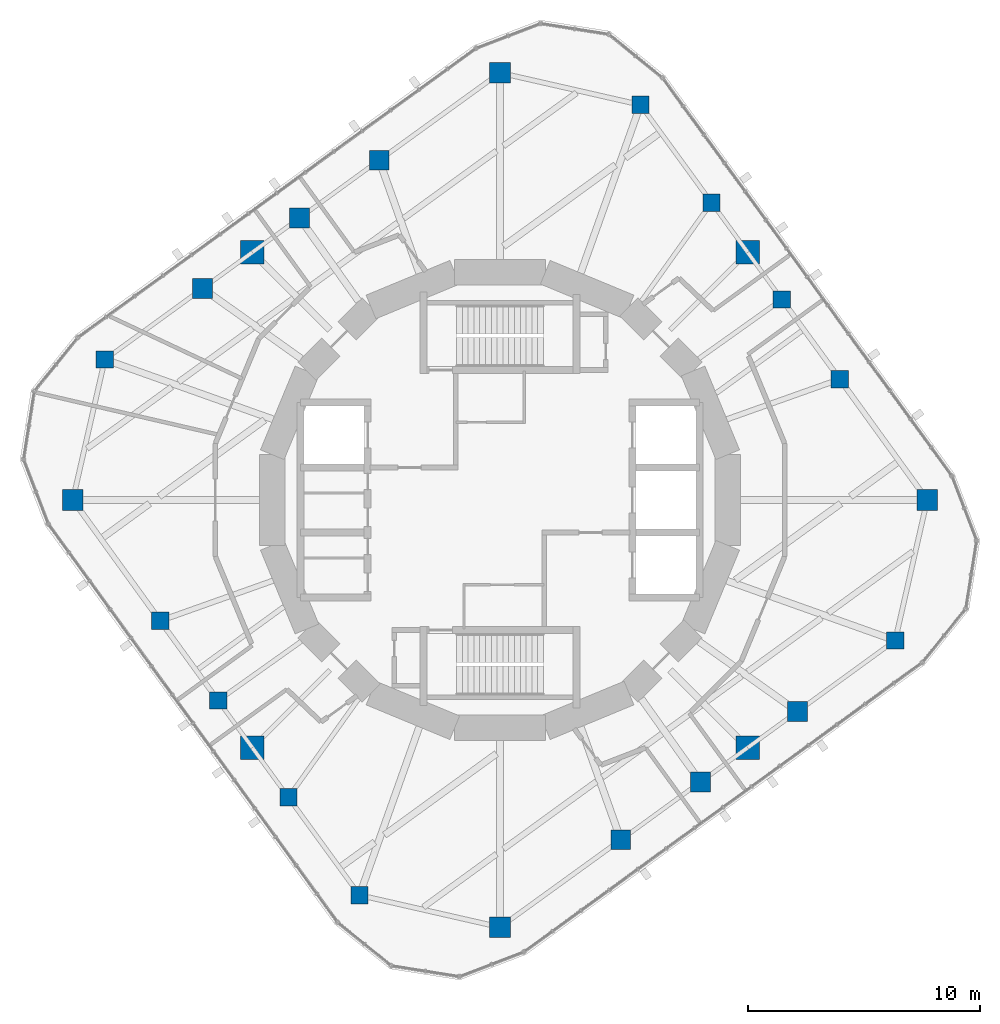
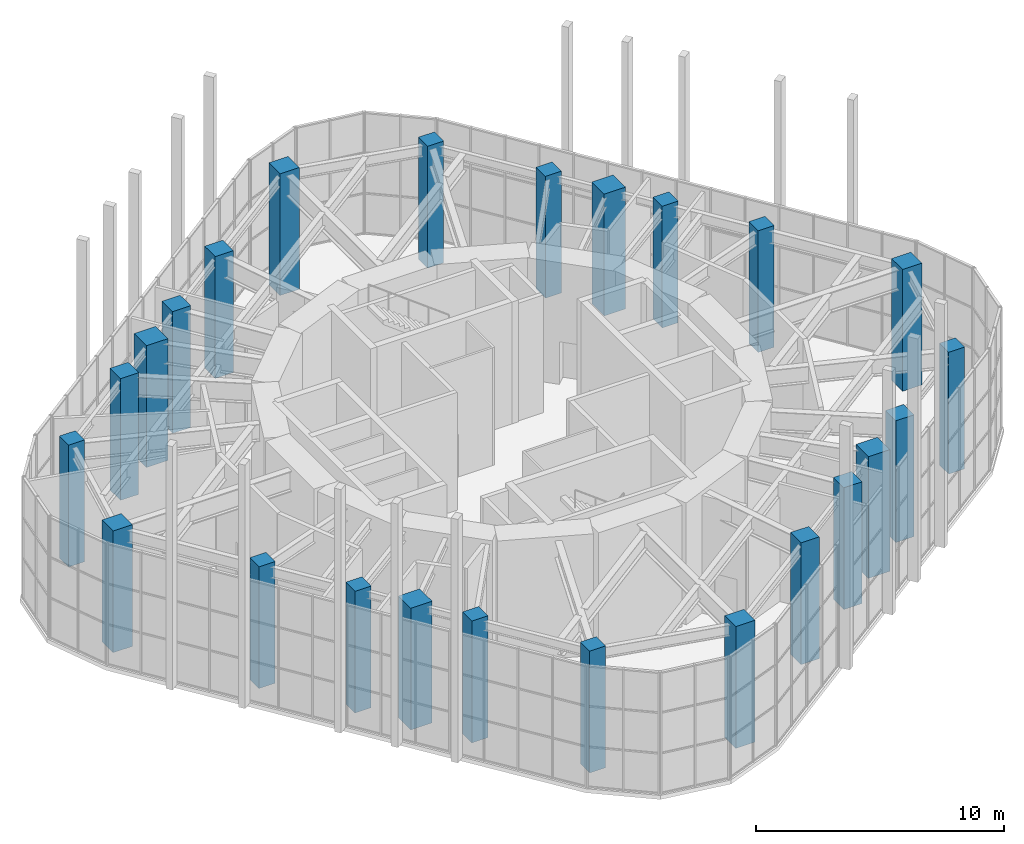
# One storey, part 1 of 17: 24 columns.
"""IFC4 building model written with IfcOpenShell, lengths in metres."""

from ifc_helpers import new_model, si_unit, direction, frame, origin, origin_2d, place, context, subcontext, project, spatial, rectangle, extrude, material, material_profile, profile_set, type_object, element, save


model = new_model("IFC4")

# Units and contexts
model_context = context("Model", 3, precision=1e-05, world=origin(), true_north=direction((0.0, 1.0)))
body_context = subcontext(model_context, "Body", "Model", "MODEL_VIEW")
ifc_project = project(units=[si_unit("LENGTHUNIT", "METRE"), si_unit("AREAUNIT", "SQUARE_METRE"), si_unit("VOLUMEUNIT", "CUBIC_METRE"), si_unit("PLANEANGLEUNIT", "RADIAN"), si_unit("MASSUNIT", "GRAM", prefix="KILO")], contexts=[model_context])

# Site, building, storey
site_placement = place(None, origin())
site = spatial("IfcSite", under=ifc_project, at=site_placement, CompositionType="ELEMENT")
building_placement = place(site_placement, origin())
building = spatial("IfcBuilding", under=site, at=building_placement, Name="Nakasero Lantern House", CompositionType="ELEMENT")
storey_placement = place(building_placement, frame((0.0, 0.0, 298.39990234375)))
storey = spatial("IfcBuildingStorey", under=building, at=storey_placement, Name="L73", CompositionType="ELEMENT", Elevation=298.39990234375)

# Columns
ifc_material_1 = material(Name="Concrete C40/50", Category="concrete")
ifc_material_profile_1 = material_profile(ifc_material_1, rectangle(XDim=1.0, YDim=1.0, at=origin_2d()), Name="RC 1000x1000")
ifc_profile_set_1 = profile_set([ifc_material_profile_1], Name="Concrete C40/50")
column_type_1 = type_object("IfcColumnType", Name="Mega column RC 1000x1000 C40/50", PredefinedType="COLUMN", material=ifc_profile_set_1)
for number, where, z_axis, x_axis, name in (
    (1, (10.667236328125, 10.667236328125, 0.0), (0.0, 0.0, 1.0), (1.0, 0.0, 0.0), "Column B7-C06 L73"),
    (2, (-10.667236328125, 10.667236328125, 0.0), (0.0, 0.0, 1.0), (1.0, 0.0, 0.0), "Column B7-C12 L73"),
    (3, (-10.667236328125, -10.667236328125, 0.0), (0.0, 0.0, 1.0), (1.0, 0.0, 0.0), "Column B7-C18 L73"),
    (4, (10.667236328125, -10.667236328125, 0.0), (0.0, 0.0, 1.0), (1.0, 0.0, 0.0), "Column B7-C24 L73"),
):
    element("IfcColumn", number, at=place(storey_placement, frame(where, z_axis=z_axis, x_axis=x_axis)), inside=storey, type_object=column_type_1, Name=name, PredefinedType="COLUMN", context=body_context, shape_type="SweptSolid", body=[
        extrude(rectangle(XDim=1.0, YDim=1.0, at=origin_2d()), origin(), (0.0, 0.0, 1.0), 6.0),
    ])
ifc_material_2 = material(Name="Concrete C40/50", Category="concrete")
ifc_material_profile_2 = material_profile(ifc_material_2, rectangle(XDim=0.75, YDim=0.75, at=origin_2d()), Name="RC 750x750")
ifc_profile_set_2 = profile_set([ifc_material_profile_2], Name="Concrete C40/50")
column_type_2 = type_object("IfcColumnType", Name="Ring column RC 750x750 C40/50", PredefinedType="COLUMN", material=ifc_profile_set_2)
for number, where, z_axis, x_axis, name in (
    (5, (17.02001953125, -6.051513671875, 0.0), (0.0, 0.0, 1.0), (1.0, 0.0, 0.0), "Column B7-C02 L73"),
    (6, (14.636474609375, 5.2041015625, 0.0), (0.0, 0.0, 1.0), (1.0, 0.0, 0.0), "Column B7-C04 L73"),
    (7, (12.1435546875, 8.63525390625, 0.0), (0.0, 0.0, 1.0), (1.0, 0.0, 0.0), "Column B7-C05 L73"),
    (8, (9.10986328125, 12.810791015625, 0.0), (0.0, 0.0, 1.0), (1.0, 0.0, 0.0), "Column B7-C07 L73"),
    (9, (6.051513671875, 17.02001953125, 0.0), (0.0, 0.0, 1.0), (1.0, 0.0, 0.0), "Column B7-C08 L73"),
    (10, (-17.02001953125, 6.051513671875, 0.0), (0.0, 0.0, 1.0), (1.0, 0.0, 0.0), "Column B7-C14 L73"),
    (11, (-14.636474609375, -5.2041015625, 0.0), (0.0, 0.0, 1.0), (1.0, 0.0, 0.0), "Column B7-C16 L73"),
    (12, (-12.1435546875, -8.63525390625, 0.0), (0.0, 0.0, 1.0), (1.0, 0.0, 0.0), "Column B7-C17 L73"),
    (13, (-9.10986328125, -12.810791015625, 0.0), (0.0, 0.0, 1.0), (1.0, 0.0, 0.0), "Column B7-C19 L73"),
    (14, (-6.051513671875, -17.02001953125, 0.0), (0.0, 0.0, 1.0), (1.0, 0.0, 0.0), "Column B7-C20 L73"),
):
    element("IfcColumn", number, at=place(storey_placement, frame(where, z_axis=z_axis, x_axis=x_axis)), inside=storey, type_object=column_type_2, Name=name, PredefinedType="COLUMN", context=body_context, shape_type="SweptSolid", body=[
        extrude(rectangle(XDim=0.75, YDim=0.75, at=origin_2d()), origin(), (0.0, 0.0, 1.0), 6.0),
    ])
ifc_material_3 = material(Name="Concrete C40/50", Category="concrete")
ifc_material_profile_3 = material_profile(ifc_material_3, rectangle(XDim=0.85009765625, YDim=0.85009765625, at=origin_2d()), Name="RC 850x850")
ifc_profile_set_3 = profile_set([ifc_material_profile_3], Name="Concrete C40/50")
column_type_3 = type_object("IfcColumnType", Name="Ring column RC 850x850 C40/50", PredefinedType="COLUMN", material=ifc_profile_set_3)
for number, where, z_axis, x_axis, name in (
    (15, (12.810791015625, -9.10986328125, 0.0), (0.0, 0.0, 1.0), (1.0, 0.0, 0.0), "Column B7-C01 L73"),
    (16, (-5.2041015625, 14.636474609375, 0.0), (0.0, 0.0, 1.0), (1.0, 0.0, 0.0), "Column B7-C10 L73"),
    (17, (-8.63525390625, 12.1435546875, 0.0), (0.0, 0.0, 1.0), (1.0, 0.0, 0.0), "Column B7-C11 L73"),
    (18, (-12.810791015625, 9.10986328125, 0.0), (0.0, 0.0, 1.0), (1.0, 0.0, 0.0), "Column B7-C13 L73"),
    (19, (5.2041015625, -14.636474609375, 0.0), (0.0, 0.0, 1.0), (1.0, 0.0, 0.0), "Column B7-C22 L73"),
    (20, (8.63525390625, -12.1435546875, 0.0), (0.0, 0.0, 1.0), (1.0, 0.0, 0.0), "Column B7-C23 L73"),
):
    element("IfcColumn", number, at=place(storey_placement, frame(where, z_axis=z_axis, x_axis=x_axis)), inside=storey, type_object=column_type_3, Name=name, PredefinedType="COLUMN", context=body_context, shape_type="SweptSolid", body=[
        extrude(rectangle(XDim=0.85009765625, YDim=0.85009765625, at=origin_2d()), origin(), (0.0, 0.0, 1.0), 6.0),
    ])
ifc_material_4 = material(Name="Concrete C40/50", Category="concrete")
ifc_material_profile_4 = material_profile(ifc_material_4, rectangle(XDim=0.89990234375, YDim=0.89990234375, at=origin_2d()), Name="RC 900x900")
ifc_profile_set_4 = profile_set([ifc_material_profile_4], Name="Concrete C40/50")
column_type_4 = type_object("IfcColumnType", Name="Ring column RC 900x900 C40/50", PredefinedType="COLUMN", material=ifc_profile_set_4)
for number, where, z_axis, x_axis, name in (
    (21, (18.39990234375, 0.0, 0.0), (0.0, 0.0, 1.0), (1.0, 0.0, 0.0), "Column B7-C03 L73"),
    (22, (0.0, 18.39990234375, 0.0), (0.0, 0.0, 1.0), (1.0, 0.0, 0.0), "Column B7-C09 L73"),
    (23, (-18.39990234375, 0.0, 0.0), (0.0, 0.0, 1.0), (1.0, 0.0, 0.0), "Column B7-C15 L73"),
    (24, (0.0, -18.39990234375, 0.0), (0.0, 0.0, 1.0), (1.0, 0.0, 0.0), "Column B7-C21 L73"),
):
    element("IfcColumn", number, at=place(storey_placement, frame(where, z_axis=z_axis, x_axis=x_axis)), inside=storey, type_object=column_type_4, Name=name, PredefinedType="COLUMN", context=body_context, shape_type="SweptSolid", body=[
        extrude(rectangle(XDim=0.89990234375, YDim=0.89990234375, at=origin_2d()), origin(), (0.0, 0.0, 1.0), 6.0),
    ])

save(model, "model.ifc")
